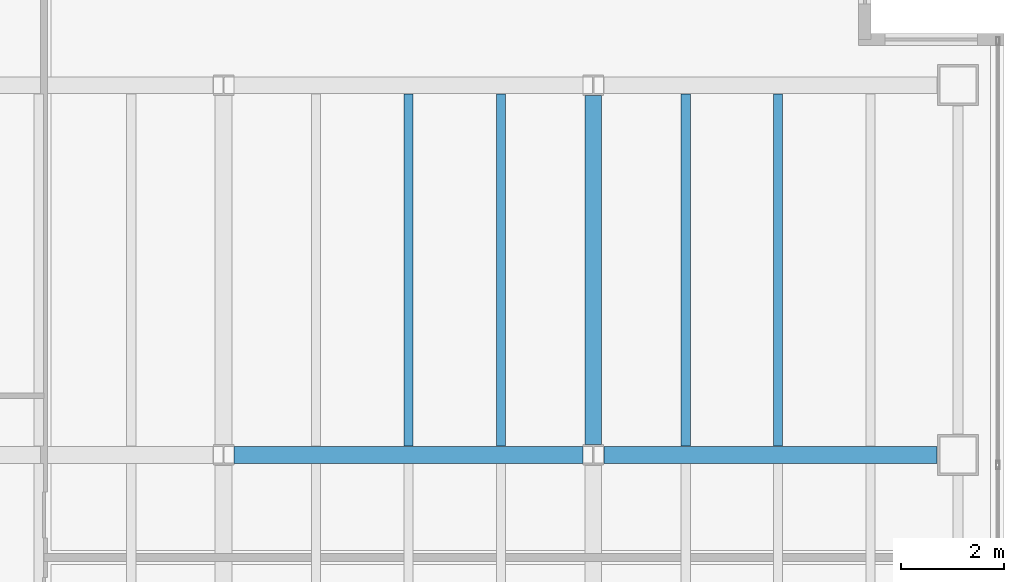
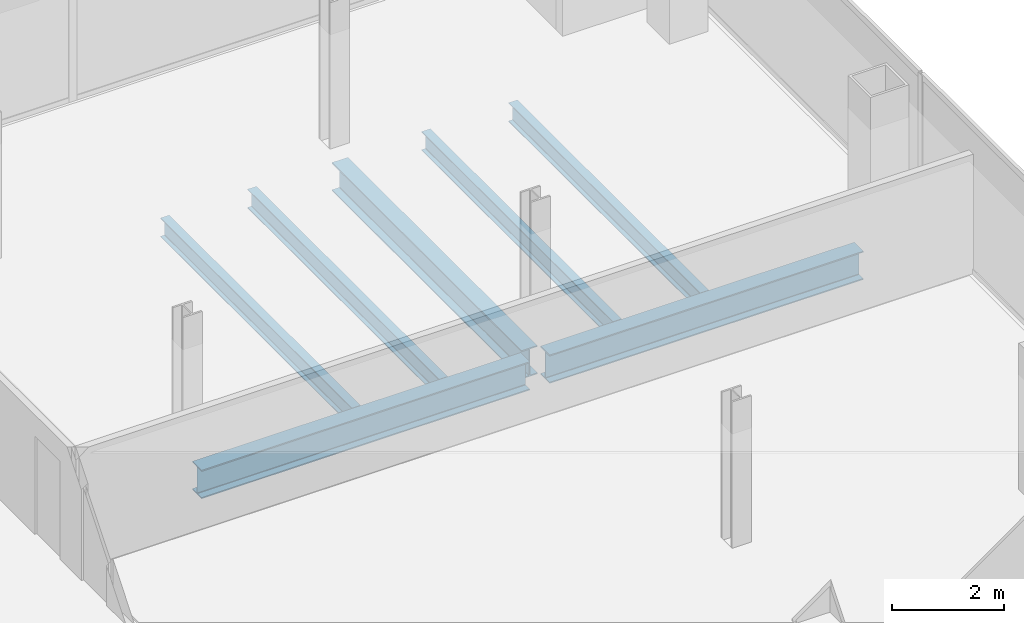
# One storey, part 13 of 23: 7 beams.
"""IFC4 building model written with IfcOpenShell, lengths in metres."""

import ifcopenshell
import ifcopenshell.guid

model = None  # the IFC model being written
_history = None  # IfcOwnerHistory: only IFC2X3 demands one
_inside = {}  # id of a spatial element -> (the spatial element, [elements in it])
_under = {}  # id of a project, library or spatial element -> (it, [spatial elements below it])
_declared = {}  # id of a project -> (the project, [libraries it declares])
_typed = {}  # id of a type object -> (the type object, [elements of that type])
_made_of = {}  # id of a material, layer set ... -> (it, [elements and type objects made of it])


def new_model(schema):
    """Start an empty IFC model of exactly this schema.

    Asked for "IFC4X3", IfcOpenShell would pick the latest addendum, in which some entities
    have other attributes; the version numbers below select the first issue.
    IFC2X3 requires an IfcOwnerHistory on every rooted entity: one is made here for all.
    """
    global model, _history
    if schema == "IFC4X3":
        model = ifcopenshell.file(schema_version=(4, 3, 0, 0))
    else:
        model = ifcopenshell.file(schema=schema)
    _inside.clear()
    _under.clear()
    _declared.clear()
    _typed.clear()
    _made_of.clear()
    _history = None
    if model.schema == "IFC2X3":
        org = make("IfcOrganization", Name="unknown")
        user = make(
            "IfcPersonAndOrganization",
            ThePerson=make("IfcPerson", FamilyName="unknown"),
            TheOrganization=org,
        )
        app = make(
            "IfcApplication",
            ApplicationDeveloper=org,
            Version="unknown",
            ApplicationFullName="unknown",
            ApplicationIdentifier="unknown",
        )
        _history = make(
            "IfcOwnerHistory",
            OwningUser=user,
            OwningApplication=app,
            ChangeAction="ADDED",
            CreationDate=0,
        )
    return model


def make(cls, **values):
    """One entity of the class cls with the attributes given. An attribute that is None is left unset."""
    return model.create_entity(
        cls, **{name: value for name, value in values.items() if value is not None}
    )


def rooted(cls, **values):
    """An entity with a GlobalId (a new one), such as an element, a storey or a relation."""
    return make(cls, GlobalId=ifcopenshell.guid.new(), OwnerHistory=_history, **values)


def si_unit(unit_type, name, prefix=None):
    """IfcSIUnit, for example si_unit("LENGTHUNIT", "METRE", prefix="MILLI")."""
    return make("IfcSIUnit", UnitType=unit_type, Prefix=prefix, Name=name)


def assignment(units):
    """IfcUnitAssignment: the units of a project."""
    return None if units is None else make("IfcUnitAssignment", Units=units)


def point(xyz):
    """IfcCartesianPoint."""
    return None if xyz is None else make("IfcCartesianPoint", Coordinates=xyz)


def direction(xyz):
    """IfcDirection."""
    return None if xyz is None else make("IfcDirection", DirectionRatios=xyz)


def frame(location, z_axis=None, x_axis=None):
    """IfcAxis2Placement3D, a coordinate frame: its origin and axes. An axis left out is left unset."""
    return make(
        "IfcAxis2Placement3D",
        Location=point(location),
        Axis=direction(z_axis),
        RefDirection=direction(x_axis),
    )


def frame_2d(location, x_axis=None):
    """IfcAxis2Placement2D, a coordinate frame in the plane: its origin and x axis."""
    return make(
        "IfcAxis2Placement2D", Location=point(location), RefDirection=direction(x_axis)
    )


def origin():
    """The frame at (0, 0, 0) with its axes left unset."""
    return frame((0.0, 0.0, 0.0))


def origin_2d():
    """The frame at (0, 0) in the plane with its x axis left unset."""
    return frame_2d((0.0, 0.0))


def place(relative_to, where):
    """IfcLocalPlacement: puts the frame where relative to a parent placement (None: the world)."""
    return make(
        "IfcLocalPlacement", PlacementRelTo=relative_to, RelativePlacement=where
    )


def context(
    kind, dimensions, precision=None, world=None, true_north=None, identifier=None
):
    """IfcGeometricRepresentationContext, for example the 3D "Model" context."""
    return make(
        "IfcGeometricRepresentationContext",
        ContextIdentifier=identifier,
        ContextType=kind,
        CoordinateSpaceDimension=dimensions,
        Precision=precision,
        WorldCoordinateSystem=world,
        TrueNorth=true_north,
    )


def subcontext(parent, identifier, kind, view, scale=None):
    """IfcGeometricRepresentationSubContext, for example "Body" below "Model"."""
    return make(
        "IfcGeometricRepresentationSubContext",
        ContextIdentifier=identifier,
        ContextType=kind,
        ParentContext=parent,
        TargetScale=scale,
        TargetView=view,
    )


def project(units=None, contexts=None):
    """IfcProject with its units and contexts."""
    return rooted(
        "IfcProject",
        Name="project",
        RepresentationContexts=contexts,
        UnitsInContext=assignment(units),
    )


def spatial(cls, under=None, at=None, **own):
    """A site, building, storey or space (cls), placed at a placement, below another one or the project."""
    s = rooted(cls, ObjectPlacement=at, **own)
    if under is not None:
        _under.setdefault(under.id(), (under, []))[1].append(s)
    return s


def profile(cls, at=None, kind="AREA", **sizes):
    """A parametric profile (cls). Its sizes go by their IFC names, for example OverallWidth=200.0."""
    return make(cls, ProfileType=kind, Position=at, **sizes)


def i_section(**sizes):
    """IfcIShapeProfileDef."""
    return profile("IfcIShapeProfileDef", **sizes)


def extrude(swept, where, along, depth):
    """IfcExtrudedAreaSolid: the profile swept, set in the frame where, extruded along a direction by depth."""
    return make(
        "IfcExtrudedAreaSolid",
        SweptArea=swept,
        Position=where,
        ExtrudedDirection=direction(along),
        Depth=depth,
    )


def shape(context_of_items, identifier, shape_type, items):
    """IfcShapeRepresentation: the items that make up one representation, for example the "Body"."""
    return make(
        "IfcShapeRepresentation",
        ContextOfItems=context_of_items,
        RepresentationIdentifier=identifier,
        RepresentationType=shape_type,
        Items=items,
    )


def material(Name=None, Category=None):
    """IfcMaterial."""
    return make("IfcMaterial", Name=Name, Category=Category)


def material_profile(
    of_material, cross_section, Name=None, Category=None, Priority=None
):
    """IfcMaterialProfile: a cross section and its material."""
    return make(
        "IfcMaterialProfile",
        Name=Name,
        Material=of_material,
        Profile=cross_section,
        Priority=Priority,
        Category=Category,
    )


def profile_set(profiles, Name=None, composite=None):
    """IfcMaterialProfileSet."""
    return make(
        "IfcMaterialProfileSet",
        Name=Name,
        MaterialProfiles=profiles,
        CompositeProfile=composite,
    )


def made_of(thing, what):
    """Note that an element or type object is made of a material, layer set ...; save() writes the relation."""
    if what is not None:
        _made_of.setdefault(what.id(), (what, []))[1].append(thing)
    return thing


def type_object(cls, material=None, **own):
    """A type object (cls), such as IfcWallType, which elements share."""
    return made_of(rooted(cls, **own), material)


def element(
    cls,
    number,
    at=None,
    inside=None,
    cuts=None,
    type_object=None,
    material=None,
    context=None,
    identifier="Body",
    shape_type=None,
    held_by="IfcProductDefinitionShape",
    body=None,
    shapes=None,
    **own,
):
    """One element of the class cls, such as IfcWall. Its Tag is "e" and its number.

    at: its placement. inside: the storey or other place that contains it. cuts: it is an
    opening in that element (IfcRelVoidsElement). A single representation is given by context,
    identifier, shape_type and body (its items); several are given by shapes. held_by: the class
    of the entity that holds the representations. save() writes the other relations.
    """
    e = rooted(cls, Tag="e%d" % number, ObjectPlacement=at, **own)
    if body is not None:
        shapes = [shape(context, identifier, shape_type, body)]
    if shapes is not None:
        e.Representation = make(held_by, Representations=shapes)
    if inside is not None:
        _inside.setdefault(inside.id(), (inside, []))[1].append(e)
    if cuts is not None:
        rooted(
            "IfcRelVoidsElement", RelatingBuildingElement=cuts, RelatedOpeningElement=e
        )
    if type_object is not None:
        _typed.setdefault(type_object.id(), (type_object, []))[1].append(e)
    return made_of(e, material)


def aggregate(whole, parts):
    """IfcRelAggregates: a whole, such as a stair, and the parts it consists of."""
    return rooted("IfcRelAggregates", RelatingObject=whole, RelatedObjects=parts)


def save(model, path):
    """Write the relations noted so far, then the file.

    IfcRelAggregates (storeys below a building ...), IfcRelContainedInSpatialStructure (elements
    in a storey), IfcRelDefinesByType, IfcRelAssociatesMaterial and IfcRelDeclares: one each for
    every whole, place, type object, material and project.
    """
    for whole, parts in _under.values():
        aggregate(whole, parts)
    for where, things in _inside.values():
        rooted(
            "IfcRelContainedInSpatialStructure",
            RelatedElements=things,
            RelatingStructure=where,
        )
    for kind, things in _typed.values():
        rooted("IfcRelDefinesByType", RelatedObjects=things, RelatingType=kind)
    for what, things in _made_of.values():
        rooted("IfcRelAssociatesMaterial", RelatedObjects=things, RelatingMaterial=what)
    for by, libraries in _declared.values():
        rooted("IfcRelDeclares", RelatingContext=by, RelatedDefinitions=libraries)
    model.write(path)


model = new_model("IFC4")

# Units and contexts
model_context = context("Model", 3, precision=1e-05, world=origin(), true_north=direction((0.0, 1.0)))
body_context = subcontext(model_context, "Body", "Model", "MODEL_VIEW")
ifc_project = project(units=[si_unit("LENGTHUNIT", "METRE"), si_unit("AREAUNIT", "SQUARE_METRE"), si_unit("VOLUMEUNIT", "CUBIC_METRE"), si_unit("PLANEANGLEUNIT", "RADIAN"), si_unit("MASSUNIT", "GRAM", prefix="KILO")], contexts=[model_context])

# Site, building, storey
site_placement = place(None, origin())
site = spatial("IfcSite", under=ifc_project, at=site_placement, CompositionType="ELEMENT")
building_placement = place(site_placement, origin())
building = spatial("IfcBuilding", under=site, at=building_placement, Name="Cobrela Telecom Tower", CompositionType="ELEMENT")
storey_placement = place(building_placement, frame((0.0, 0.0, 197.75)))
storey = spatial("IfcBuildingStorey", under=building, at=storey_placement, Name="L50", CompositionType="ELEMENT", Elevation=197.75)

# Beams
ifc_material = material(Name="Steel ASTM A992 Grade 50", Category="steel")
ifc_material_profile_1 = material_profile(ifc_material, i_section(OverallWidth=0.327880859375, OverallDepth=0.6220703125, WebThickness=0.015380859375, FlangeThickness=0.0244140625, FilletRadius=0.014892578125, at=origin_2d()), Name="W24X131")
ifc_profile_set_1 = profile_set([ifc_material_profile_1], Name="Steel ASTM A992 Grade 50")
beam_type_1 = type_object("IfcBeamType", Name="BM-GIRD-06", PredefinedType="USERDEFINED", material=ifc_profile_set_1)
beam_1_placement = place(storey_placement, frame((29.00439453125, 14.39990234375, -0.571044921875), z_axis=(1.0, 0.0, 0.0), x_axis=(0.0, 1.0, 0.0)))
element("IfcBeam", 1, at=beam_1_placement, inside=storey, type_object=beam_type_1, Name="L50 Primary Girder X13", ObjectType="GIRDER", PredefinedType="USERDEFINED", context=body_context, shape_type="SweptSolid", body=[
    extrude(i_section(OverallWidth=0.327880859375, OverallDepth=0.6220703125, WebThickness=0.015380859375, FlangeThickness=0.0244140625, FilletRadius=0.014892578125, at=origin_2d()), origin(), (0.0, 0.0, 1.0), 6.791015625),
])
beam_2_placement = place(storey_placement, frame((36.20458984375, 14.39990234375, -0.571044921875), z_axis=(1.0, 0.0, 0.0), x_axis=(0.0, 1.0, 0.0)))
element("IfcBeam", 2, at=beam_2_placement, inside=storey, type_object=beam_type_1, Name="L50 Primary Girder X14", ObjectType="GIRDER", PredefinedType="USERDEFINED", context=body_context, shape_type="SweptSolid", body=[
    extrude(i_section(OverallWidth=0.327880859375, OverallDepth=0.6220703125, WebThickness=0.015380859375, FlangeThickness=0.0244140625, FilletRadius=0.014892578125, at=origin_2d()), origin(), (0.0, 0.0, 1.0), 6.490478515625),
])
beam_3_placement = place(storey_placement, frame((36.0, 14.6044921875, -0.571044921875), z_axis=(0.0, 1.0, 0.0), x_axis=(-1.0, 0.0, 0.0)))
element("IfcBeam", 3, at=beam_3_placement, inside=storey, type_object=beam_type_1, Name="L50 Primary Girder Y41", ObjectType="GIRDER", PredefinedType="USERDEFINED", context=body_context, shape_type="SweptSolid", body=[
    extrude(i_section(OverallWidth=0.327880859375, OverallDepth=0.6220703125, WebThickness=0.015380859375, FlangeThickness=0.0244140625, FilletRadius=0.014892578125, at=origin_2d()), origin(), (0.0, 0.0, 1.0), 6.791015625),
])
ifc_material_profile_2 = material_profile(ifc_material, i_section(OverallWidth=0.179931640625, OverallDepth=0.4169921875, WebThickness=0.010986328125, FlangeThickness=0.01806640625, FilletRadius=0.011962890625, at=origin_2d()), Name="W16X57")
ifc_profile_set_2 = profile_set([ifc_material_profile_2], Name="Steel ASTM A992 Grade 50")
beam_type_2 = type_object("IfcBeamType", Name="BM-JOIST-04", PredefinedType="JOIST", material=ifc_profile_set_2)
for number, where, z_axis, x_axis, name in (
    (4, (32.39990234375, 14.569091796875, -0.468505859375), (0.0, 1.0, 0.0), (-1.0, 0.0, 0.0), "L50 Secondary Composite Floor Beam J22"),
    (5, (34.199951171875, 14.569091796875, -0.468505859375), (0.0, 1.0, 0.0), (-1.0, 0.0, 0.0), "L50 Secondary Composite Floor Beam J24"),
    (6, (37.800048828125, 14.569091796875, -0.468505859375), (0.0, 1.0, 0.0), (-1.0, 0.0, 0.0), "L50 Secondary Composite Floor Beam J26"),
    (7, (39.60009765625, 14.569091796875, -0.468505859375), (0.0, 1.0, 0.0), (-1.0, 0.0, 0.0), "L50 Secondary Composite Floor Beam J28"),
):
    element("IfcBeam", number, at=place(storey_placement, frame(where, z_axis=z_axis, x_axis=x_axis)), inside=storey, type_object=beam_type_2, Name=name, PredefinedType="JOIST", context=body_context, shape_type="SweptSolid", body=[
        extrude(i_section(OverallWidth=0.179931640625, OverallDepth=0.4169921875, WebThickness=0.010986328125, FlangeThickness=0.01806640625, FilletRadius=0.011962890625, at=origin_2d()), origin(), (0.0, 0.0, 1.0), 6.86181640625),
    ])

save(model, "model.ifc")
